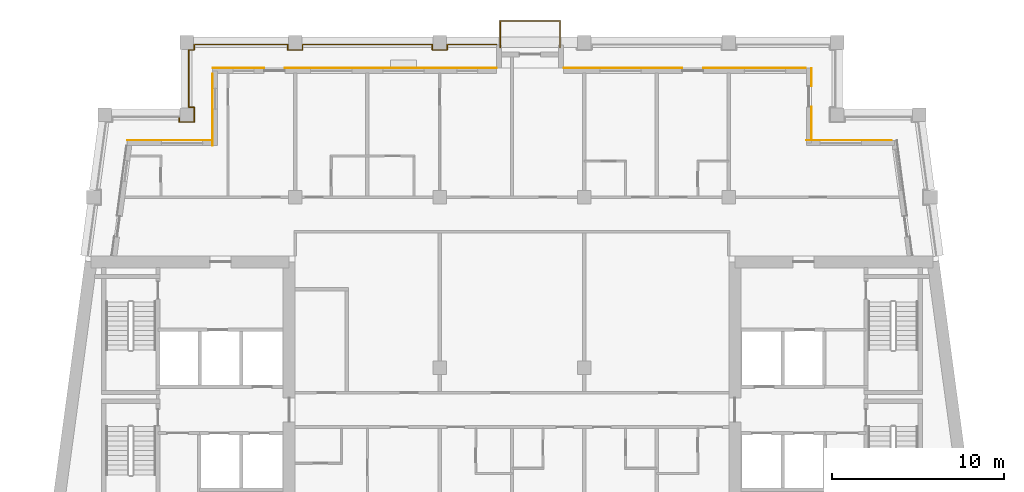
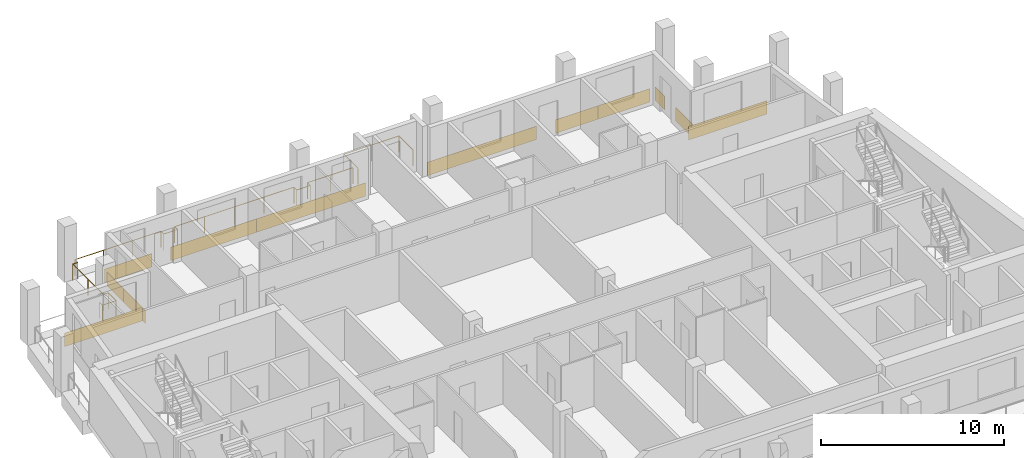
# One storey, part 12 of 13: 12 coverings, 2 railings.
"""IFC4 building model written with IfcOpenShell, lengths in metres."""

from ifc_helpers import new_model, si_unit, direction, frame, origin, origin_2d, place, context, subcontext, project, spatial, rectangle, circle, extrude, material, layer, layer_set, type_object, element, save


model = new_model("IFC4")

# Units and contexts
model_context = context("Model", 3, precision=1e-05, world=origin(), true_north=direction((0.0, 1.0)))
body_context = subcontext(model_context, "Body", "Model", "MODEL_VIEW")
ifc_project = project(units=[si_unit("LENGTHUNIT", "METRE"), si_unit("AREAUNIT", "SQUARE_METRE"), si_unit("VOLUMEUNIT", "CUBIC_METRE"), si_unit("PLANEANGLEUNIT", "RADIAN"), si_unit("MASSUNIT", "GRAM", prefix="KILO")], contexts=[model_context])

# Site, building, storey
site_placement = place(None, origin())
site = spatial("IfcSite", under=ifc_project, at=site_placement, CompositionType="ELEMENT")
building_placement = place(site_placement, origin())
building = spatial("IfcBuilding", under=site, at=building_placement, Name="Candeia Pilgrim Tower and Theatre", CompositionType="ELEMENT")
storey_placement = place(building_placement, frame((0.0, 0.0, 277.5)))
storey = spatial("IfcBuildingStorey", under=building, at=storey_placement, Name="L67", CompositionType="ELEMENT", Elevation=277.5)

# Railings
ifc_material_1 = material(Name="Stainless steel balustrade", Category="steel")
railing_type = type_object("IfcRailingType", Name="G1 loggia guard 1100", PredefinedType="GUARDRAIL", material=ifc_material_1)
railing_1_placement = place(storey_placement, frame((94.070068359375, 140.47998046875, 0.0)))
element("IfcRailing", 1, at=railing_1_placement, inside=storey, type_object=railing_type, Name="Guard L67.1", PredefinedType="GUARDRAIL", context=body_context, shape_type="SweptSolid", body=[
    extrude(circle(Radius=0.02392578125, at=origin_2d()), frame((0.0, 0.0, 1.076171875), z_axis=(0.0, -1.0, 0.0), x_axis=(1.0, 0.0, 0.0)), (0.0, 0.0, 1.0), 0.31005859375),
    extrude(circle(Radius=0.02392578125, at=origin_2d()), frame((0.0, -0.31005859375, 1.076171875), z_axis=(1.0, 0.0, 0.0), x_axis=(0.0, 1.0, 0.0)), (0.0, 0.0, 1.0), 0.85986328125),
    extrude(circle(Radius=0.02392578125, at=origin_2d()), frame((0.85986328125, -0.31005859375, 1.076171875), z_axis=(0.0, 1.0, 0.0), x_axis=(-1.0, 0.0, 0.0)), (0.0, 0.0, 1.0), 0.860107421875),
    extrude(circle(Radius=0.02392578125, at=origin_2d()), frame((0.85986328125, 0.550048828125, 1.076171875), z_axis=(-1.0, 0.0, 0.0), x_axis=(0.0, -1.0, 0.0)), (0.0, 0.0, 1.0), 0.309814453125),
    extrude(circle(Radius=0.02392578125, at=origin_2d()), frame((0.550048828125, 0.550048828125, 1.076171875), z_axis=(0.0, 1.0, 0.0), x_axis=(-1.0, 0.0, 0.0)), (0.0, 0.0, 1.0), 3.340087890625),
    extrude(circle(Radius=0.02392578125, at=origin_2d()), frame((0.550048828125, 3.89013671875, 1.076171875), z_axis=(1.0, 0.0, 0.0), x_axis=(0.0, 1.0, 0.0)), (0.0, 0.0, 1.0), 0.309814453125),
    extrude(circle(Radius=0.02392578125, at=origin_2d()), frame((0.85986328125, 3.89013671875, 1.076171875), z_axis=(0.0, 1.0, 0.0), x_axis=(-1.0, 0.0, 0.0)), (0.0, 0.0, 1.0), 0.309814453125),
    extrude(circle(Radius=0.02392578125, at=origin_2d()), frame((0.85986328125, 4.199951171875, 1.076171875), z_axis=(1.0, 0.0, 0.0), x_axis=(0.0, 1.0, 0.0)), (0.0, 0.0, 1.0), 5.440185546875),
    extrude(circle(Radius=0.02392578125, at=origin_2d()), frame((6.300048828125, 4.199951171875, 1.076171875), z_axis=(0.0, -1.0, 0.0), x_axis=(1.0, 0.0, 0.0)), (0.0, 0.0, 1.0), 0.309814453125),
    extrude(circle(Radius=0.02392578125, at=origin_2d()), frame((6.300048828125, 3.89013671875, 1.076171875), z_axis=(1.0, 0.0, 0.0), x_axis=(0.0, 1.0, 0.0)), (0.0, 0.0, 1.0), 0.85986328125),
    extrude(circle(Radius=0.02392578125, at=origin_2d()), frame((7.159912109375, 3.89013671875, 1.076171875), z_axis=(0.0, 1.0, 0.0), x_axis=(-1.0, 0.0, 0.0)), (0.0, 0.0, 1.0), 0.309814453125),
    extrude(circle(Radius=0.02392578125, at=origin_2d()), frame((7.159912109375, 4.199951171875, 1.076171875), z_axis=(1.0, 0.0, 0.0), x_axis=(0.0, 1.0, 0.0)), (0.0, 0.0, 1.0), 7.5400390625),
    extrude(circle(Radius=0.02392578125, at=origin_2d()), frame((14.699951171875, 4.199951171875, 1.076171875), z_axis=(0.0, -1.0, 0.0), x_axis=(1.0, 0.0, 0.0)), (0.0, 0.0, 1.0), 0.309814453125),
    extrude(circle(Radius=0.02392578125, at=origin_2d()), frame((14.699951171875, 3.89013671875, 1.076171875), z_axis=(1.0, 0.0, 0.0), x_axis=(0.0, 1.0, 0.0)), (0.0, 0.0, 1.0), 0.85986328125),
    extrude(circle(Radius=0.02392578125, at=origin_2d()), frame((15.559814453125, 3.89013671875, 1.076171875), z_axis=(0.0, 1.0, 0.0), x_axis=(-1.0, 0.0, 0.0)), (0.0, 0.0, 1.0), 0.309814453125),
    extrude(circle(Radius=0.02392578125, at=origin_2d()), frame((15.559814453125, 4.199951171875, 1.076171875), z_axis=(1.0, 0.0, 0.0), x_axis=(0.0, 1.0, 0.0)), (0.0, 0.0, 1.0), 2.8701171875),
    extrude(circle(Radius=0.02099609375, at=origin_2d()), origin(), (0.0, 0.0, 1.0), 1.052001953125),
    extrude(circle(Radius=0.02099609375, at=origin_2d()), frame((0.0, -0.31005859375, 0.0)), (0.0, 0.0, 1.0), 1.052001953125),
    extrude(circle(Radius=0.02099609375, at=origin_2d()), frame((0.85986328125, -0.31005859375, 0.0)), (0.0, 0.0, 1.0), 1.052001953125),
    extrude(circle(Radius=0.02099609375, at=origin_2d()), frame((0.85986328125, 0.550048828125, 0.0)), (0.0, 0.0, 1.0), 1.052001953125),
    extrude(circle(Radius=0.02099609375, at=origin_2d()), frame((0.550048828125, 0.550048828125, 0.0)), (0.0, 0.0, 1.0), 1.052001953125),
    extrude(circle(Radius=0.02099609375, at=origin_2d()), frame((0.550048828125, 2.22021484375, 0.0)), (0.0, 0.0, 1.0), 1.052001953125),
    extrude(circle(Radius=0.02099609375, at=origin_2d()), frame((0.550048828125, 3.89013671875, 0.0)), (0.0, 0.0, 1.0), 1.052001953125),
    extrude(circle(Radius=0.02099609375, at=origin_2d()), frame((0.85986328125, 3.89013671875, 0.0)), (0.0, 0.0, 1.0), 1.052001953125),
    extrude(circle(Radius=0.02099609375, at=origin_2d()), frame((0.85986328125, 4.199951171875, 0.0)), (0.0, 0.0, 1.0), 1.052001953125),
    extrude(circle(Radius=0.02099609375, at=origin_2d()), frame((2.67333984375, 4.199951171875, 0.0)), (0.0, 0.0, 1.0), 1.052001953125),
    extrude(circle(Radius=0.02099609375, at=origin_2d()), frame((4.486572265625, 4.199951171875, 0.0)), (0.0, 0.0, 1.0), 1.052001953125),
    extrude(circle(Radius=0.02099609375, at=origin_2d()), frame((6.300048828125, 4.199951171875, 0.0)), (0.0, 0.0, 1.0), 1.052001953125),
    extrude(circle(Radius=0.02099609375, at=origin_2d()), frame((6.300048828125, 3.89013671875, 0.0)), (0.0, 0.0, 1.0), 1.052001953125),
    extrude(circle(Radius=0.02099609375, at=origin_2d()), frame((7.159912109375, 3.89013671875, 0.0)), (0.0, 0.0, 1.0), 1.052001953125),
    extrude(circle(Radius=0.02099609375, at=origin_2d()), frame((7.159912109375, 4.199951171875, 0.0)), (0.0, 0.0, 1.0), 1.052001953125),
    extrude(circle(Radius=0.02099609375, at=origin_2d()), frame((9.044921875, 4.199951171875, 0.0)), (0.0, 0.0, 1.0), 1.052001953125),
    extrude(circle(Radius=0.02099609375, at=origin_2d()), frame((10.929931640625, 4.199951171875, 0.0)), (0.0, 0.0, 1.0), 1.052001953125),
    extrude(circle(Radius=0.02099609375, at=origin_2d()), frame((12.81494140625, 4.199951171875, 0.0)), (0.0, 0.0, 1.0), 1.052001953125),
    extrude(circle(Radius=0.02099609375, at=origin_2d()), frame((14.699951171875, 4.199951171875, 0.0)), (0.0, 0.0, 1.0), 1.052001953125),
    extrude(circle(Radius=0.02099609375, at=origin_2d()), frame((14.699951171875, 3.89013671875, 0.0)), (0.0, 0.0, 1.0), 1.052001953125),
    extrude(circle(Radius=0.02099609375, at=origin_2d()), frame((15.559814453125, 3.89013671875, 0.0)), (0.0, 0.0, 1.0), 1.052001953125),
    extrude(circle(Radius=0.02099609375, at=origin_2d()), frame((15.559814453125, 4.199951171875, 0.0)), (0.0, 0.0, 1.0), 1.052001953125),
    extrude(circle(Radius=0.02099609375, at=origin_2d()), frame((16.994873046875, 4.199951171875, 0.0)), (0.0, 0.0, 1.0), 1.052001953125),
    extrude(circle(Radius=0.02099609375, at=origin_2d()), frame((18.429931640625, 4.199951171875, 0.0)), (0.0, 0.0, 1.0), 1.052001953125),
])
railing_2_placement = place(storey_placement, frame((112.7099609375, 144.5, 0.0)))
element("IfcRailing", 2, at=railing_2_placement, inside=storey, type_object=railing_type, Name="Balcony guard L67", PredefinedType="GUARDRAIL", context=body_context, shape_type="SweptSolid", body=[
    extrude(circle(Radius=0.02392578125, at=origin_2d()), frame((0.0, 0.0, 1.076171875), z_axis=(0.0, 1.0, 0.0), x_axis=(-1.0, 0.0, 0.0)), (0.0, 0.0, 1.0), 1.5400390625),
    extrude(circle(Radius=0.02392578125, at=origin_2d()), frame((0.0, 1.5400390625, 1.076171875), z_axis=(1.0, 0.0, 0.0), x_axis=(0.0, 1.0, 0.0)), (0.0, 0.0, 1.0), 3.47998046875),
    extrude(circle(Radius=0.02392578125, at=origin_2d()), frame((3.47998046875, 1.5400390625, 1.076171875), z_axis=(0.0, -1.0, 0.0), x_axis=(1.0, 0.0, 0.0)), (0.0, 0.0, 1.0), 1.5400390625),
    extrude(circle(Radius=0.02099609375, at=origin_2d()), origin(), (0.0, 0.0, 1.0), 1.052001953125),
    extrude(circle(Radius=0.02099609375, at=origin_2d()), frame((0.0, 1.5400390625, 0.0)), (0.0, 0.0, 1.0), 1.052001953125),
    extrude(circle(Radius=0.02099609375, at=origin_2d()), frame((1.739990234375, 1.5400390625, 0.0)), (0.0, 0.0, 1.0), 1.052001953125),
    extrude(circle(Radius=0.02099609375, at=origin_2d()), frame((3.47998046875, 1.5400390625, 0.0)), (0.0, 0.0, 1.0), 1.052001953125),
    extrude(circle(Radius=0.02099609375, at=origin_2d()), frame((3.47998046875, 0.0, 0.0)), (0.0, 0.0, 1.0), 1.052001953125),
])

# Coverings
ifc_material_2 = material(Name="Glazed ceramic tile bottle green")
ifc_layer_1 = layer(ifc_material_2, 0.02001953125)
ifc_layer_set_1 = layer_set([ifc_layer_1], Name="Glazed ceramic tile bottle green")
covering_type_1 = type_object("IfcCoveringType", Name="Glazed ceramic tile bottle green", PredefinedType="CLADDING", material=ifc_layer_set_1)
covering_1_placement = place(storey_placement, frame((132.976318359375, 139.110107421875, 0.0), z_axis=(0.0, 0.0, 1.0), x_axis=(-1.0, 0.0, 0.0)))
element("IfcCovering", 3, at=covering_1_placement, inside=storey, type_object=covering_type_1, Name="Tile cladding bottle green L67", PredefinedType="CLADDING", context=body_context, shape_type="SweptSolid", body=[
    extrude(rectangle(XDim=4.95263671875, YDim=0.02001953125, at=origin_2d()), origin(), (0.0, 0.0, 1.0), 0.89990234375),
])
covering_2_placement = place(storey_placement, frame((130.81005859375, 142.77490234375, 0.0), z_axis=(0.0, 0.0, 1.0), x_axis=(0.0, 1.0, 0.0)))
element("IfcCovering", 4, at=covering_2_placement, inside=storey, type_object=covering_type_1, Name="Tile cladding bottle green L67", PredefinedType="CLADDING", context=body_context, shape_type="SweptSolid", body=[
    extrude(rectangle(XDim=1.050048828125, YDim=0.02001953125, at=origin_2d()), origin(), (0.0, 0.0, 1.0), 0.89990234375),
])
covering_3_placement = place(storey_placement, frame((128.840087890625, 143.31005859375, 0.0), z_axis=(0.0, 0.0, 1.0), x_axis=(-1.0, 0.0, 0.0)))
element("IfcCovering", 5, at=covering_3_placement, inside=storey, type_object=covering_type_1, Name="Tile cladding bottle green L67", PredefinedType="CLADDING", context=body_context, shape_type="SweptSolid", body=[
    extrude(rectangle(XDim=3.280029296875, YDim=0.02001953125, at=origin_2d()), origin(), (0.0, 0.0, 1.0), 0.89990234375),
])
covering_4_placement = place(storey_placement, frame((102.89990234375, 143.31005859375, 0.0), z_axis=(0.0, 0.0, 1.0), x_axis=(-1.0, 0.0, 0.0)))
element("IfcCovering", 6, at=covering_4_placement, inside=storey, type_object=covering_type_1, Name="Tile cladding bottle green L67", PredefinedType="CLADDING", context=body_context, shape_type="SweptSolid", body=[
    extrude(rectangle(XDim=5.39990234375, YDim=0.02001953125, at=origin_2d()), origin(), (0.0, 0.0, 1.0), 0.89990234375),
])
covering_5_placement = place(storey_placement, frame((97.5, 143.31005859375, 0.0), z_axis=(0.0, 0.0, 1.0), x_axis=(-1.0, 0.0, 0.0)))
element("IfcCovering", 7, at=covering_5_placement, inside=storey, type_object=covering_type_1, Name="Tile cladding bottle green L67", PredefinedType="CLADDING", context=body_context, shape_type="SweptSolid", body=[
    extrude(rectangle(XDim=3.0, YDim=0.02001953125, at=origin_2d()), origin(), (0.0, 0.0, 1.0), 0.89990234375),
])
covering_6_placement = place(storey_placement, frame((95.989990234375, 142.090087890625, 0.0), z_axis=(0.0, 0.0, 1.0), x_axis=(0.0, -1.0, 0.0)))
element("IfcCovering", 8, at=covering_6_placement, inside=storey, type_object=covering_type_1, Name="Tile cladding bottle green L67", PredefinedType="CLADDING", context=body_context, shape_type="SweptSolid", body=[
    extrude(rectangle(XDim=1.780029296875, YDim=0.02001953125, at=origin_2d()), origin(), (0.0, 0.0, 1.0), 0.89990234375),
])
covering_7_placement = place(storey_placement, frame((93.51318359375, 139.110107421875, 0.0), z_axis=(0.0, 0.0, 1.0), x_axis=(-1.0, 0.0, 0.0)))
element("IfcCovering", 9, at=covering_7_placement, inside=storey, type_object=covering_type_1, Name="Tile cladding bottle green L67", PredefinedType="CLADDING", context=body_context, shape_type="SweptSolid", body=[
    extrude(rectangle(XDim=4.933837890625, YDim=0.02001953125, at=origin_2d()), origin(), (0.0, 0.0, 1.0), 0.89990234375),
])
ifc_material_3 = material(Name="Glazed ceramic tile rust")
ifc_layer_2 = layer(ifc_material_3, 0.02001953125)
ifc_layer_set_2 = layer_set([ifc_layer_2], Name="Glazed ceramic tile rust")
covering_type_2 = type_object("IfcCoveringType", Name="Glazed ceramic tile rust", PredefinedType="CLADDING", material=ifc_layer_set_2)
covering_8_placement = place(storey_placement, frame((130.81005859375, 140.0849609375, 0.0), z_axis=(0.0, 0.0, 1.0), x_axis=(0.0, 1.0, 0.0)))
element("IfcCovering", 10, at=covering_8_placement, inside=storey, type_object=covering_type_2, Name="Tile cladding rust L67", PredefinedType="CLADDING", context=body_context, shape_type="SweptSolid", body=[
    extrude(rectangle(XDim=1.929931640625, YDim=0.02001953125, at=origin_2d()), origin(), (0.0, 0.0, 1.0), 0.89990234375),
])
covering_9_placement = place(storey_placement, frame((125.85009765625, 143.31005859375, 0.0), z_axis=(0.0, 0.0, 1.0), x_axis=(-1.0, 0.0, 0.0)))
element("IfcCovering", 11, at=covering_9_placement, inside=storey, type_object=covering_type_2, Name="Tile cladding rust L67", PredefinedType="CLADDING", context=body_context, shape_type="SweptSolid", body=[
    extrude(rectangle(XDim=2.699951171875, YDim=0.02001953125, at=origin_2d()), origin(), (0.0, 0.0, 1.0), 0.89990234375),
])
for number, where, z_axis, x_axis, name in (
    (12, (119.85009765625, 143.31005859375, 0.0), (0.0, 0.0, 1.0), (-1.0, 0.0, 0.0), "Tile cladding rust L67"),
    (13, (109.050048828125, 143.31005859375, 0.0), (0.0, 0.0, 1.0), (-1.0, 0.0, 0.0), "Tile cladding rust L67"),
):
    element("IfcCovering", number, at=place(storey_placement, frame(where, z_axis=z_axis, x_axis=x_axis)), inside=storey, type_object=covering_type_2, Name=name, PredefinedType="CLADDING", context=body_context, shape_type="SweptSolid", body=[
        extrude(rectangle(XDim=6.89990234375, YDim=0.02001953125, at=origin_2d()), origin(), (0.0, 0.0, 1.0), 0.89990234375),
    ])
covering_10_placement = place(storey_placement, frame((95.989990234375, 140.0, 0.0), z_axis=(0.0, 0.0, 1.0), x_axis=(0.0, -1.0, 0.0)))
element("IfcCovering", 14, at=covering_10_placement, inside=storey, type_object=covering_type_2, Name="Tile cladding rust L67", PredefinedType="CLADDING", context=body_context, shape_type="SweptSolid", body=[
    extrude(rectangle(XDim=2.39990234375, YDim=0.02001953125, at=origin_2d()), origin(), (0.0, 0.0, 1.0), 0.89990234375),
])

save(model, "model.ifc")
